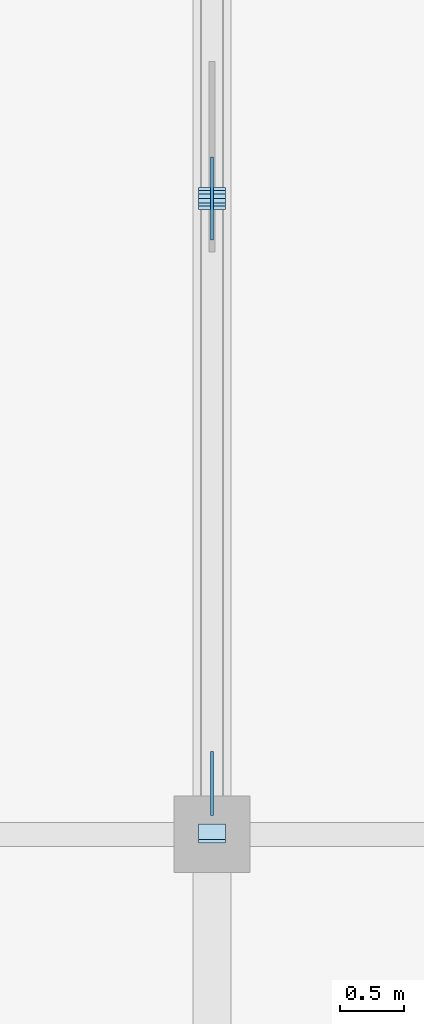
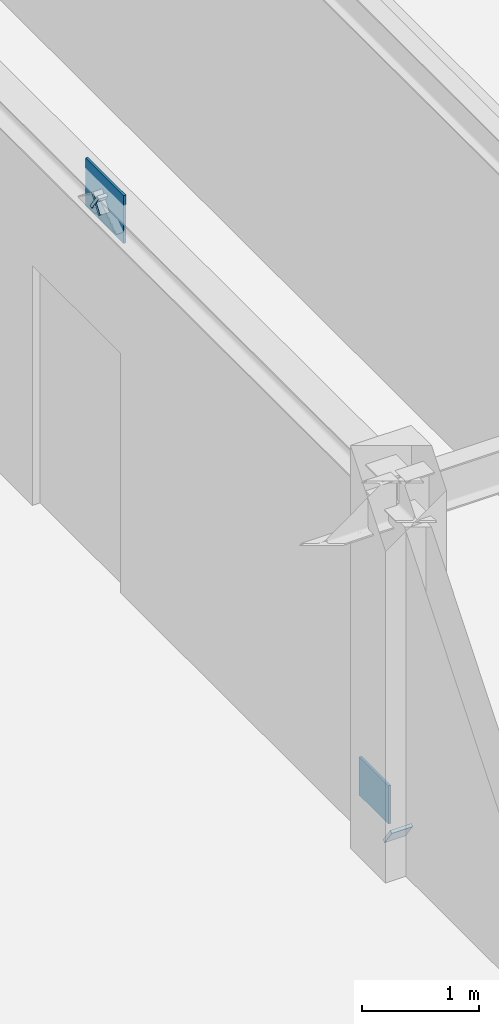
# One storey, part 97 of 122: 5 plates.
"""IFC4 building model written with IfcOpenShell, lengths in metres."""

from ifc_helpers import new_model, si_unit, direction, frame, origin, origin_2d, place, context, subcontext, project, spatial, rectangle, extrude, material, layer, layer_set, type_object, element, save


model = new_model("IFC4")

# Units and contexts
model_context = context("Model", 3, precision=1e-05, world=origin(), true_north=direction((0.0, 1.0)))
body_context = subcontext(model_context, "Body", "Model", "MODEL_VIEW")
ifc_project = project(units=[si_unit("LENGTHUNIT", "METRE"), si_unit("AREAUNIT", "SQUARE_METRE"), si_unit("VOLUMEUNIT", "CUBIC_METRE"), si_unit("PLANEANGLEUNIT", "RADIAN"), si_unit("MASSUNIT", "GRAM", prefix="KILO"), si_unit("THERMODYNAMICTEMPERATUREUNIT", "KELVIN"), si_unit("POWERUNIT", "WATT")], contexts=[model_context])

# Site, building, storey
site_placement = place(None, origin())
site = spatial("IfcSite", under=ifc_project, at=site_placement, CompositionType="ELEMENT")
building_placement = place(site_placement, origin())
building = spatial("IfcBuilding", under=site, at=building_placement, Name="Korenveer Ferry Terminal", CompositionType="ELEMENT")
storey_placement = place(building_placement, frame((0.0, 0.0, 10.199951171875)))
storey = spatial("IfcBuildingStorey", under=building, at=storey_placement, Name="L02", CompositionType="ELEMENT", Elevation=10.199951171875)

# Plates
ifc_material = material(Name="Steel S355", Category="steel")
ifc_layer_1 = layer(ifc_material, 0.031982421875)
ifc_layer_set_1 = layer_set([ifc_layer_1], Name="Steel S355")
plate_type_1 = type_object("IfcPlateType", Name="STR-PLT-CAP32", PredefinedType="USERDEFINED", material=ifc_layer_set_1)
for number, where, z_axis, x_axis, name in (
    (1, (20.0, 39.994140625, 0.221435546875), (0.0, 0.813512660964, 0.581547203975), (-1.0, 0.0, 0.0), "Hollow section end cap 614"),
    (2, (20.0, 45.0, 3.800048828125), (0.0, 0.813512660964, 0.581547203975), (-1.0, 0.0, 0.0), "Hollow section end cap 615"),
    (3, (20.0, 44.97412109375, 3.818603515625), (0.0, 0.813512660964, -0.581547203975), (-1.0, 0.0, 0.0), "Hollow section end cap 616"),
):
    element("IfcPlate", number, at=place(storey_placement, frame(where, z_axis=z_axis, x_axis=x_axis)), inside=storey, type_object=plate_type_1, Name=name, ObjectType="END CAP PLATE", PredefinedType="USERDEFINED", context=body_context, shape_type="SweptSolid", body=[
        extrude(rectangle(XDim=0.2099609375, YDim=0.2099609375, at=origin_2d()), origin(), (0.0, 0.0, 1.0), 0.031982421875),
    ])
ifc_layer_2 = layer(ifc_material, 0.02392578125)
ifc_layer_set_2 = layer_set([ifc_layer_2], Name="Steel S355")
plate_type_2 = type_object("IfcPlateType", Name="STR-PLT-GUS24", PredefinedType="USERDEFINED", material=ifc_layer_set_2)
plate_1_placement = place(storey_placement, frame((20.0, 45.0, 3.550048828125), z_axis=(0.0, 0.0, 1.0), x_axis=(1.0, 0.0, 0.0)))
element("IfcPlate", 4, at=plate_1_placement, inside=storey, type_object=plate_type_2, Name="Chevron brace apex gusset 21", ObjectType="GUSSET PLATE", PredefinedType="USERDEFINED", context=body_context, shape_type="SweptSolid", body=[
    extrude(rectangle(XDim=0.02392578125, YDim=0.64990234375, at=origin_2d()), origin(), (0.0, 0.0, 1.0), 0.5),
])
plate_2_placement = place(storey_placement, frame((20.0, 40.39990234375, 0.239990234375), z_axis=(0.0, 0.0, 1.0), x_axis=(1.0, 0.0, 0.0)))
element("IfcPlate", 5, at=plate_2_placement, inside=storey, type_object=plate_type_2, Name="Chevron brace base gusset 22", ObjectType="GUSSET PLATE", PredefinedType="USERDEFINED", context=body_context, shape_type="SweptSolid", body=[
    extrude(rectangle(XDim=0.02392578125, YDim=0.5, at=origin_2d()), origin(), (0.0, 0.0, 1.0), 0.39990234375),
])

save(model, "model.ifc")
